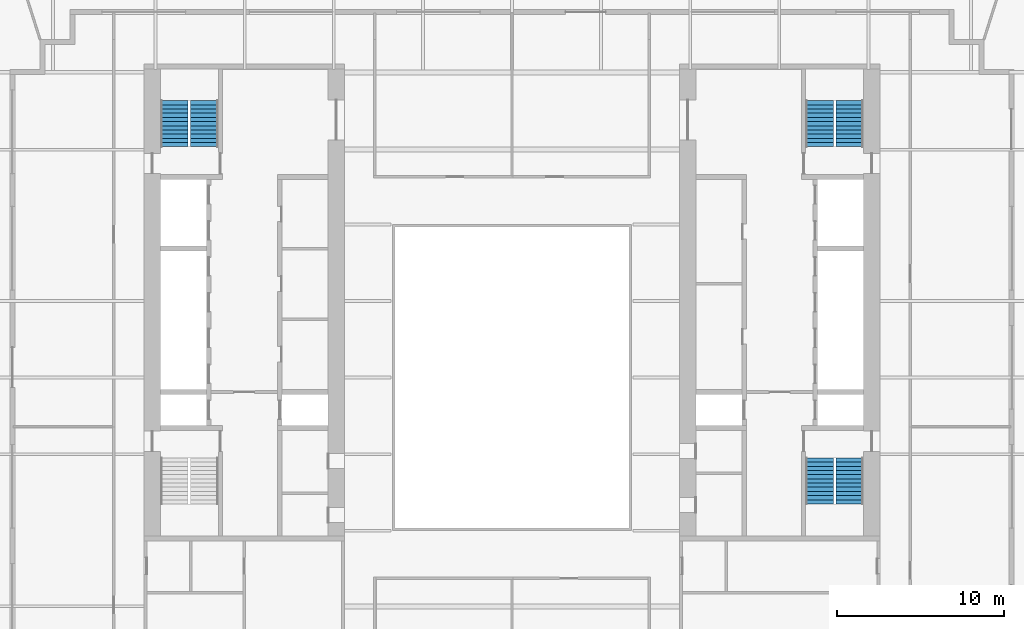
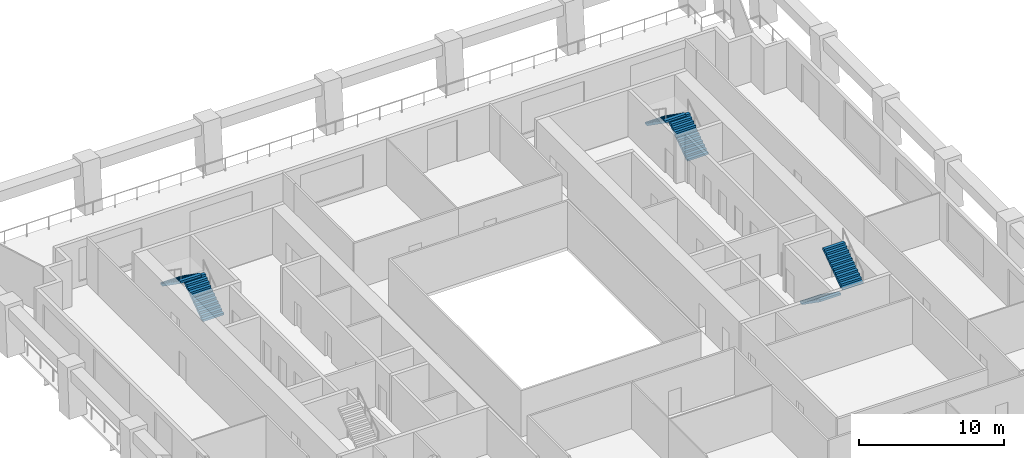
# One storey, part 10 of 11: 6 stair flights, 3 elements without a shape of their own.
"""IFC4 building model written with IfcOpenShell, lengths in metres."""

from ifc_helpers import new_model, si_unit, direction, frame, origin, place, context, subcontext, project, spatial, polyline, outline, extrude, material, type_object, element, aggregate, save


model = new_model("IFC4")

# Units and contexts
model_context = context("Model", 3, precision=1e-05, world=origin(), true_north=direction((0.0, 1.0)))
body_context = subcontext(model_context, "Body", "Model", "MODEL_VIEW")
ifc_project = project(units=[si_unit("LENGTHUNIT", "METRE"), si_unit("AREAUNIT", "SQUARE_METRE"), si_unit("VOLUMEUNIT", "CUBIC_METRE"), si_unit("PLANEANGLEUNIT", "RADIAN"), si_unit("MASSUNIT", "GRAM", prefix="KILO")], contexts=[model_context])

# Site, building, storey
site_placement = place(None, origin())
site = spatial("IfcSite", under=ifc_project, at=site_placement, CompositionType="ELEMENT")
building_placement = place(site_placement, origin())
building = spatial("IfcBuilding", under=site, at=building_placement, Name="Ogive Exchange Tower", CompositionType="ELEMENT")
storey_placement = place(building_placement, frame((0.0, 0.0, 90.0)))
storey = spatial("IfcBuildingStorey", under=building, at=storey_placement, Name="L19", CompositionType="ELEMENT", Elevation=90.0)

# Stair, stair flights
ifc_material = material(Name="Concrete C40/50", Category="concrete")
stair_type = type_object("IfcStairType", Name="Exit stair 1650 wide", PredefinedType="HALF_TURN_STAIR", material=ifc_material)
stair_1_placement = place(storey_placement, origin())
stair_1 = element("IfcStair", 1, at=stair_1_placement, inside=storey, type_object=stair_type, Name="L19 exit stair ST2", PredefinedType="HALF_TURN_STAIR")
stair_flight_type = type_object("IfcStairFlightType", Name="Stair flight 1650 wide", PredefinedType="STRAIGHT", material=ifc_material)
stair_flight_1_placement = place(storey_placement, frame((-18.375, 20.800048828125, 0.0), z_axis=(0.0, 0.0, 1.0), x_axis=(0.0, 1.0, 0.0)))
stair_flight_1 = element("IfcStairFlight", 2, at=stair_flight_1_placement, type_object=stair_flight_type, Name="ST2 flight 1", NumberOfRisers=12, NumberOfTreads=11, PredefinedType="STRAIGHT", RiserHeight=0.175, TreadLength=0.25, context=body_context, shape_type="SweptSolid", body=[
    extrude(outline(polyline([(0.0, 0.0), (0.0, 0.175048828125), (0.25, 0.175048828125), (0.25, 0.35009765625), (0.5, 0.35009765625), (0.5, 0.52490234375), (0.75, 0.52490234375), (0.75, 0.699951171875), (1.0, 0.699951171875), (1.0, 0.875), (1.25, 0.875), (1.25, 1.050048828125), (1.5, 1.050048828125), (1.5, 1.22509765625), (1.75, 1.22509765625), (1.75, 1.39990234375), (2.0, 1.39990234375), (2.0, 1.574951171875), (2.25, 1.574951171875), (2.25, 1.75), (2.5, 1.75), (2.5, 1.925048828125), (2.75, 1.925048828125), (2.75, 2.10009765625), (2.75, 1.741943359375), (0.261474609375, 0.0), (0.0, 0.0)])), frame((0.0, 0.824951171875, 0.0), z_axis=(0.0, -1.0, 0.0), x_axis=(1.0, 0.0, 0.0)), (0.0, 0.0, 1.0), 1.64990234375),
])
stair_flight_2_placement = place(storey_placement, frame((-20.175048828125, 23.550048828125, 2.10009765625), z_axis=(0.0, 0.0, 1.0), x_axis=(0.0, -1.0, 0.0)))
stair_flight_2 = element("IfcStairFlight", 3, at=stair_flight_2_placement, type_object=stair_flight_type, Name="ST2 flight 2", NumberOfRisers=12, NumberOfTreads=11, PredefinedType="STRAIGHT", RiserHeight=0.175, TreadLength=0.25, context=body_context, shape_type="SweptSolid", body=[
    extrude(outline(polyline([(0.0, 0.0), (0.0, 0.175048828125), (0.25, 0.175048828125), (0.25, 0.35009765625), (0.5, 0.35009765625), (0.5, 0.52490234375), (0.75, 0.52490234375), (0.75, 0.699951171875), (1.0, 0.699951171875), (1.0, 0.875), (1.25, 0.875), (1.25, 1.050048828125), (1.5, 1.050048828125), (1.5, 1.22509765625), (1.75, 1.22509765625), (1.75, 1.39990234375), (2.0, 1.39990234375), (2.0, 1.574951171875), (2.25, 1.574951171875), (2.25, 1.75), (2.5, 1.75), (2.5, 1.925048828125), (2.75, 1.925048828125), (2.75, 2.10009765625), (2.75, 1.741943359375), (0.261474609375, 0.0), (0.0, 0.0)])), frame((0.0, 0.824951171875, 0.0), z_axis=(0.0, -1.0, 0.0), x_axis=(1.0, 0.0, 0.0)), (0.0, 0.0, 1.0), 1.64990234375),
])
aggregate(stair_1, [stair_flight_1, stair_flight_2])

stair_2_placement = place(storey_placement, origin())
stair_2 = element("IfcStair", 4, at=stair_2_placement, inside=storey, type_object=stair_type, Name="L19 exit stair ST3", PredefinedType="HALF_TURN_STAIR")
stair_flight_3_placement = place(storey_placement, frame((18.375, 2.199951171875, 0.0), z_axis=(0.0, 0.0, 1.0), x_axis=(0.0, -1.0, 0.0)))
stair_flight_3 = element("IfcStairFlight", 5, at=stair_flight_3_placement, type_object=stair_flight_type, Name="ST3 flight 1", NumberOfRisers=12, NumberOfTreads=11, PredefinedType="STRAIGHT", RiserHeight=0.175, TreadLength=0.25, context=body_context, shape_type="SweptSolid", body=[
    extrude(outline(polyline([(0.0, 0.0), (0.0, 0.175048828125), (0.25, 0.175048828125), (0.25, 0.35009765625), (0.5, 0.35009765625), (0.5, 0.52490234375), (0.75, 0.52490234375), (0.75, 0.699951171875), (1.0, 0.699951171875), (1.0, 0.875), (1.25, 0.875), (1.25, 1.050048828125), (1.5, 1.050048828125), (1.5, 1.22509765625), (1.75, 1.22509765625), (1.75, 1.39990234375), (2.0, 1.39990234375), (2.0, 1.574951171875), (2.25, 1.574951171875), (2.25, 1.75), (2.5, 1.75), (2.5, 1.925048828125), (2.75, 1.925048828125), (2.75, 2.10009765625), (2.75, 1.741943359375), (0.261474609375, 0.0), (0.0, 0.0)])), frame((0.0, 0.824951171875, 0.0), z_axis=(0.0, -1.0, 0.0), x_axis=(1.0, 0.0, 0.0)), (0.0, 0.0, 1.0), 1.64990234375),
])
stair_flight_4_placement = place(storey_placement, frame((20.175048828125, -0.550048828125, 2.10009765625), z_axis=(0.0, 0.0, 1.0), x_axis=(0.0, 1.0, 0.0)))
stair_flight_4 = element("IfcStairFlight", 6, at=stair_flight_4_placement, type_object=stair_flight_type, Name="ST3 flight 2", NumberOfRisers=12, NumberOfTreads=11, PredefinedType="STRAIGHT", RiserHeight=0.175, TreadLength=0.25, context=body_context, shape_type="SweptSolid", body=[
    extrude(outline(polyline([(0.0, 0.0), (0.0, 0.175048828125), (0.25, 0.175048828125), (0.25, 0.35009765625), (0.5, 0.35009765625), (0.5, 0.52490234375), (0.75, 0.52490234375), (0.75, 0.699951171875), (1.0, 0.699951171875), (1.0, 0.875), (1.25, 0.875), (1.25, 1.050048828125), (1.5, 1.050048828125), (1.5, 1.22509765625), (1.75, 1.22509765625), (1.75, 1.39990234375), (2.0, 1.39990234375), (2.0, 1.574951171875), (2.25, 1.574951171875), (2.25, 1.75), (2.5, 1.75), (2.5, 1.925048828125), (2.75, 1.925048828125), (2.75, 2.10009765625), (2.75, 1.741943359375), (0.261474609375, 0.0), (0.0, 0.0)])), frame((0.0, 0.824951171875, 0.0), z_axis=(0.0, -1.0, 0.0), x_axis=(1.0, 0.0, 0.0)), (0.0, 0.0, 1.0), 1.64990234375),
])
aggregate(stair_2, [stair_flight_3, stair_flight_4])

stair_3_placement = place(storey_placement, origin())
stair_3 = element("IfcStair", 7, at=stair_3_placement, inside=storey, type_object=stair_type, Name="L19 exit stair ST4", PredefinedType="HALF_TURN_STAIR")
stair_flight_5_placement = place(storey_placement, frame((20.175048828125, 20.800048828125, 0.0), z_axis=(0.0, 0.0, 1.0), x_axis=(0.0, 1.0, 0.0)))
stair_flight_5 = element("IfcStairFlight", 8, at=stair_flight_5_placement, type_object=stair_flight_type, Name="ST4 flight 1", NumberOfRisers=12, NumberOfTreads=11, PredefinedType="STRAIGHT", RiserHeight=0.175, TreadLength=0.25, context=body_context, shape_type="SweptSolid", body=[
    extrude(outline(polyline([(0.0, 0.0), (0.0, 0.175048828125), (0.25, 0.175048828125), (0.25, 0.35009765625), (0.5, 0.35009765625), (0.5, 0.52490234375), (0.75, 0.52490234375), (0.75, 0.699951171875), (1.0, 0.699951171875), (1.0, 0.875), (1.25, 0.875), (1.25, 1.050048828125), (1.5, 1.050048828125), (1.5, 1.22509765625), (1.75, 1.22509765625), (1.75, 1.39990234375), (2.0, 1.39990234375), (2.0, 1.574951171875), (2.25, 1.574951171875), (2.25, 1.75), (2.5, 1.75), (2.5, 1.925048828125), (2.75, 1.925048828125), (2.75, 2.10009765625), (2.75, 1.741943359375), (0.261474609375, 0.0), (0.0, 0.0)])), frame((0.0, 0.824951171875, 0.0), z_axis=(0.0, -1.0, 0.0), x_axis=(1.0, 0.0, 0.0)), (0.0, 0.0, 1.0), 1.64990234375),
])
stair_flight_6_placement = place(storey_placement, frame((18.375, 23.550048828125, 2.10009765625), z_axis=(0.0, 0.0, 1.0), x_axis=(0.0, -1.0, 0.0)))
stair_flight_6 = element("IfcStairFlight", 9, at=stair_flight_6_placement, type_object=stair_flight_type, Name="ST4 flight 2", NumberOfRisers=12, NumberOfTreads=11, PredefinedType="STRAIGHT", RiserHeight=0.175, TreadLength=0.25, context=body_context, shape_type="SweptSolid", body=[
    extrude(outline(polyline([(0.0, 0.0), (0.0, 0.175048828125), (0.25, 0.175048828125), (0.25, 0.35009765625), (0.5, 0.35009765625), (0.5, 0.52490234375), (0.75, 0.52490234375), (0.75, 0.699951171875), (1.0, 0.699951171875), (1.0, 0.875), (1.25, 0.875), (1.25, 1.050048828125), (1.5, 1.050048828125), (1.5, 1.22509765625), (1.75, 1.22509765625), (1.75, 1.39990234375), (2.0, 1.39990234375), (2.0, 1.574951171875), (2.25, 1.574951171875), (2.25, 1.75), (2.5, 1.75), (2.5, 1.925048828125), (2.75, 1.925048828125), (2.75, 2.10009765625), (2.75, 1.741943359375), (0.261474609375, 0.0), (0.0, 0.0)])), frame((0.0, 0.824951171875, 0.0), z_axis=(0.0, -1.0, 0.0), x_axis=(1.0, 0.0, 0.0)), (0.0, 0.0, 1.0), 1.64990234375),
])
aggregate(stair_3, [stair_flight_5, stair_flight_6])

save(model, "model.ifc")
